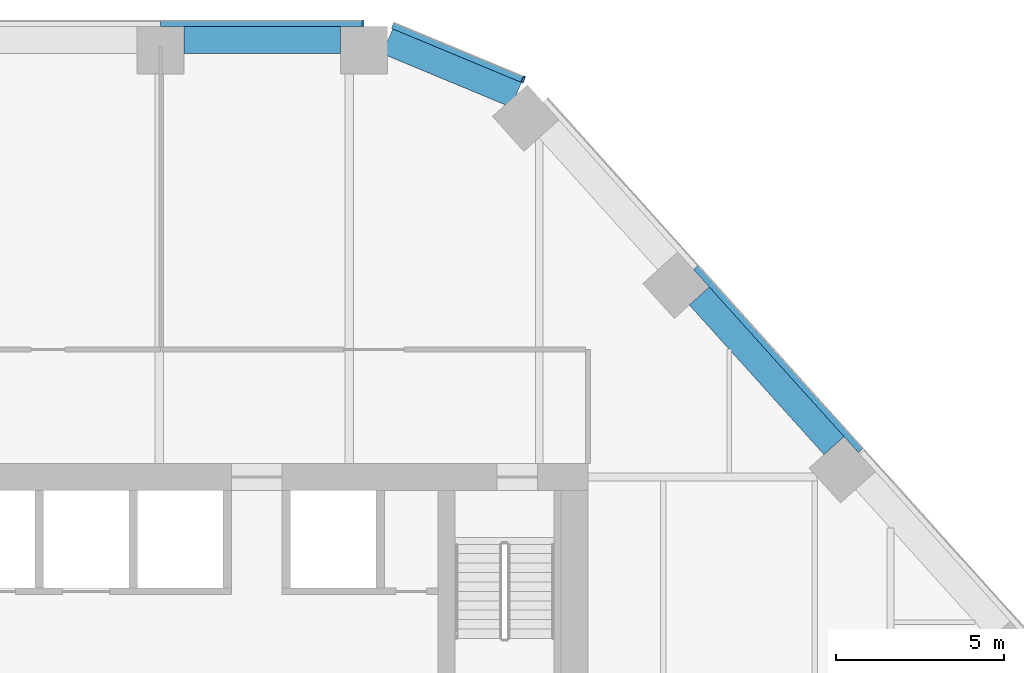
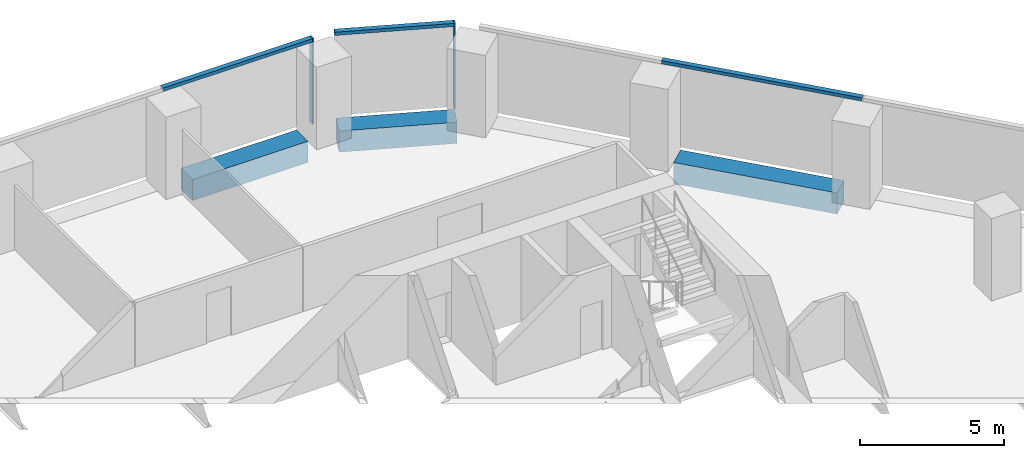
# One storey, part 9 of 16: 5 members, 3 beams, 3 elements without a shape of their own.
"""IFC4 building model written with IfcOpenShell, lengths in metres."""

import ifcopenshell
import ifcopenshell.guid

model = None  # the IFC model being written
_history = None  # IfcOwnerHistory: only IFC2X3 demands one
_inside = {}  # id of a spatial element -> (the spatial element, [elements in it])
_under = {}  # id of a project, library or spatial element -> (it, [spatial elements below it])
_declared = {}  # id of a project -> (the project, [libraries it declares])
_typed = {}  # id of a type object -> (the type object, [elements of that type])
_made_of = {}  # id of a material, layer set ... -> (it, [elements and type objects made of it])


def new_model(schema):
    """Start an empty IFC model of exactly this schema.

    Asked for "IFC4X3", IfcOpenShell would pick the latest addendum, in which some entities
    have other attributes; the version numbers below select the first issue.
    IFC2X3 requires an IfcOwnerHistory on every rooted entity: one is made here for all.
    """
    global model, _history
    if schema == "IFC4X3":
        model = ifcopenshell.file(schema_version=(4, 3, 0, 0))
    else:
        model = ifcopenshell.file(schema=schema)
    _inside.clear()
    _under.clear()
    _declared.clear()
    _typed.clear()
    _made_of.clear()
    _history = None
    if model.schema == "IFC2X3":
        org = make("IfcOrganization", Name="unknown")
        user = make(
            "IfcPersonAndOrganization",
            ThePerson=make("IfcPerson", FamilyName="unknown"),
            TheOrganization=org,
        )
        app = make(
            "IfcApplication",
            ApplicationDeveloper=org,
            Version="unknown",
            ApplicationFullName="unknown",
            ApplicationIdentifier="unknown",
        )
        _history = make(
            "IfcOwnerHistory",
            OwningUser=user,
            OwningApplication=app,
            ChangeAction="ADDED",
            CreationDate=0,
        )
    return model


def make(cls, **values):
    """One entity of the class cls with the attributes given. An attribute that is None is left unset."""
    return model.create_entity(
        cls, **{name: value for name, value in values.items() if value is not None}
    )


def rooted(cls, **values):
    """An entity with a GlobalId (a new one), such as an element, a storey or a relation."""
    return make(cls, GlobalId=ifcopenshell.guid.new(), OwnerHistory=_history, **values)


def si_unit(unit_type, name, prefix=None):
    """IfcSIUnit, for example si_unit("LENGTHUNIT", "METRE", prefix="MILLI")."""
    return make("IfcSIUnit", UnitType=unit_type, Prefix=prefix, Name=name)


def assignment(units):
    """IfcUnitAssignment: the units of a project."""
    return None if units is None else make("IfcUnitAssignment", Units=units)


def point(xyz):
    """IfcCartesianPoint."""
    return None if xyz is None else make("IfcCartesianPoint", Coordinates=xyz)


def direction(xyz):
    """IfcDirection."""
    return None if xyz is None else make("IfcDirection", DirectionRatios=xyz)


def frame(location, z_axis=None, x_axis=None):
    """IfcAxis2Placement3D, a coordinate frame: its origin and axes. An axis left out is left unset."""
    return make(
        "IfcAxis2Placement3D",
        Location=point(location),
        Axis=direction(z_axis),
        RefDirection=direction(x_axis),
    )


def frame_2d(location, x_axis=None):
    """IfcAxis2Placement2D, a coordinate frame in the plane: its origin and x axis."""
    return make(
        "IfcAxis2Placement2D", Location=point(location), RefDirection=direction(x_axis)
    )


def origin():
    """The frame at (0, 0, 0) with its axes left unset."""
    return frame((0.0, 0.0, 0.0))


def origin_2d():
    """The frame at (0, 0) in the plane with its x axis left unset."""
    return frame_2d((0.0, 0.0))


def place(relative_to, where):
    """IfcLocalPlacement: puts the frame where relative to a parent placement (None: the world)."""
    return make(
        "IfcLocalPlacement", PlacementRelTo=relative_to, RelativePlacement=where
    )


def context(
    kind, dimensions, precision=None, world=None, true_north=None, identifier=None
):
    """IfcGeometricRepresentationContext, for example the 3D "Model" context."""
    return make(
        "IfcGeometricRepresentationContext",
        ContextIdentifier=identifier,
        ContextType=kind,
        CoordinateSpaceDimension=dimensions,
        Precision=precision,
        WorldCoordinateSystem=world,
        TrueNorth=true_north,
    )


def subcontext(parent, identifier, kind, view, scale=None):
    """IfcGeometricRepresentationSubContext, for example "Body" below "Model"."""
    return make(
        "IfcGeometricRepresentationSubContext",
        ContextIdentifier=identifier,
        ContextType=kind,
        ParentContext=parent,
        TargetScale=scale,
        TargetView=view,
    )


def project(units=None, contexts=None):
    """IfcProject with its units and contexts."""
    return rooted(
        "IfcProject",
        Name="project",
        RepresentationContexts=contexts,
        UnitsInContext=assignment(units),
    )


def spatial(cls, under=None, at=None, **own):
    """A site, building, storey or space (cls), placed at a placement, below another one or the project."""
    s = rooted(cls, ObjectPlacement=at, **own)
    if under is not None:
        _under.setdefault(under.id(), (under, []))[1].append(s)
    return s


def profile(cls, at=None, kind="AREA", **sizes):
    """A parametric profile (cls). Its sizes go by their IFC names, for example OverallWidth=200.0."""
    return make(cls, ProfileType=kind, Position=at, **sizes)


def rectangle(**sizes):
    """IfcRectangleProfileDef."""
    return profile("IfcRectangleProfileDef", **sizes)


def extrude(swept, where, along, depth):
    """IfcExtrudedAreaSolid: the profile swept, set in the frame where, extruded along a direction by depth."""
    return make(
        "IfcExtrudedAreaSolid",
        SweptArea=swept,
        Position=where,
        ExtrudedDirection=direction(along),
        Depth=depth,
    )


def shape(context_of_items, identifier, shape_type, items):
    """IfcShapeRepresentation: the items that make up one representation, for example the "Body"."""
    return make(
        "IfcShapeRepresentation",
        ContextOfItems=context_of_items,
        RepresentationIdentifier=identifier,
        RepresentationType=shape_type,
        Items=items,
    )


def material(Name=None, Category=None):
    """IfcMaterial."""
    return make("IfcMaterial", Name=Name, Category=Category)


def layer(
    of_material, thickness, ventilated=None, Name=None, Category=None, Priority=None
):
    """IfcMaterialLayer: one layer of a wall or slab, of a material (None: an air gap)."""
    return make(
        "IfcMaterialLayer",
        Material=of_material,
        LayerThickness=thickness,
        IsVentilated=ventilated,
        Name=Name,
        Category=Category,
        Priority=Priority,
    )


def layer_set(layers, Name=None):
    """IfcMaterialLayerSet."""
    return make("IfcMaterialLayerSet", MaterialLayers=layers, LayerSetName=Name)


def material_profile(
    of_material, cross_section, Name=None, Category=None, Priority=None
):
    """IfcMaterialProfile: a cross section and its material."""
    return make(
        "IfcMaterialProfile",
        Name=Name,
        Material=of_material,
        Profile=cross_section,
        Priority=Priority,
        Category=Category,
    )


def profile_set(profiles, Name=None, composite=None):
    """IfcMaterialProfileSet."""
    return make(
        "IfcMaterialProfileSet",
        Name=Name,
        MaterialProfiles=profiles,
        CompositeProfile=composite,
    )


def made_of(thing, what):
    """Note that an element or type object is made of a material, layer set ...; save() writes the relation."""
    if what is not None:
        _made_of.setdefault(what.id(), (what, []))[1].append(thing)
    return thing


def type_object(cls, material=None, **own):
    """A type object (cls), such as IfcWallType, which elements share."""
    return made_of(rooted(cls, **own), material)


def element(
    cls,
    number,
    at=None,
    inside=None,
    cuts=None,
    type_object=None,
    material=None,
    context=None,
    identifier="Body",
    shape_type=None,
    held_by="IfcProductDefinitionShape",
    body=None,
    shapes=None,
    **own,
):
    """One element of the class cls, such as IfcWall. Its Tag is "e" and its number.

    at: its placement. inside: the storey or other place that contains it. cuts: it is an
    opening in that element (IfcRelVoidsElement). A single representation is given by context,
    identifier, shape_type and body (its items); several are given by shapes. held_by: the class
    of the entity that holds the representations. save() writes the other relations.
    """
    e = rooted(cls, Tag="e%d" % number, ObjectPlacement=at, **own)
    if body is not None:
        shapes = [shape(context, identifier, shape_type, body)]
    if shapes is not None:
        e.Representation = make(held_by, Representations=shapes)
    if inside is not None:
        _inside.setdefault(inside.id(), (inside, []))[1].append(e)
    if cuts is not None:
        rooted(
            "IfcRelVoidsElement", RelatingBuildingElement=cuts, RelatedOpeningElement=e
        )
    if type_object is not None:
        _typed.setdefault(type_object.id(), (type_object, []))[1].append(e)
    return made_of(e, material)


def aggregate(whole, parts):
    """IfcRelAggregates: a whole, such as a stair, and the parts it consists of."""
    return rooted("IfcRelAggregates", RelatingObject=whole, RelatedObjects=parts)


def save(model, path):
    """Write the relations noted so far, then the file.

    IfcRelAggregates (storeys below a building ...), IfcRelContainedInSpatialStructure (elements
    in a storey), IfcRelDefinesByType, IfcRelAssociatesMaterial and IfcRelDeclares: one each for
    every whole, place, type object, material and project.
    """
    for whole, parts in _under.values():
        aggregate(whole, parts)
    for where, things in _inside.values():
        rooted(
            "IfcRelContainedInSpatialStructure",
            RelatedElements=things,
            RelatingStructure=where,
        )
    for kind, things in _typed.values():
        rooted("IfcRelDefinesByType", RelatedObjects=things, RelatingType=kind)
    for what, things in _made_of.values():
        rooted("IfcRelAssociatesMaterial", RelatedObjects=things, RelatingMaterial=what)
    for by, libraries in _declared.values():
        rooted("IfcRelDeclares", RelatingContext=by, RelatedDefinitions=libraries)
    model.write(path)


model = new_model("IFC4")

# Units and contexts
model_context = context("Model", 3, precision=1e-05, world=origin(), true_north=direction((0.0, 1.0)))
body_context = subcontext(model_context, "Body", "Model", "MODEL_VIEW")
ifc_project = project(units=[si_unit("LENGTHUNIT", "METRE"), si_unit("AREAUNIT", "SQUARE_METRE"), si_unit("VOLUMEUNIT", "CUBIC_METRE"), si_unit("PLANEANGLEUNIT", "RADIAN"), si_unit("MASSUNIT", "GRAM", prefix="KILO")], contexts=[model_context])

# Site, building, storey
site_placement = place(None, origin())
site = spatial("IfcSite", under=ifc_project, at=site_placement, CompositionType="ELEMENT")
building_placement = place(site_placement, origin())
building = spatial("IfcBuilding", under=site, at=building_placement, Name="Isthmus Gate Tower", CompositionType="ELEMENT")
storey_placement = place(building_placement, frame((0.0, 0.0, 148.050048828125)))
storey = spatial("IfcBuildingStorey", under=building, at=storey_placement, Name="L36", CompositionType="ELEMENT", Elevation=148.050048828125)

# Curtain wall, member
ifc_material_1 = material(Name="Aluminium, pale champagne anodised", Category="aluminium")
ifc_layer = layer(ifc_material_1, 0.199951171875)
ifc_layer_set = layer_set([ifc_layer], Name="CW-1 UNITISED CURTAIN WALL 200 DEEP")
curtain_wall_type = type_object("IfcCurtainWallType", Name="CW-1 UNITISED CURTAIN WALL 200 DEEP", PredefinedType="NOTDEFINED", material=ifc_layer_set)
curtain_wall_1_placement = place(storey_placement, origin())
curtain_wall_1 = element("IfcCurtainWall", 1, at=curtain_wall_1_placement, inside=storey, type_object=curtain_wall_type, Name="CW-1 N L36", PredefinedType="NOTDEFINED")
ifc_material_2 = material(Name="Aluminium, pale champagne anodised", Category="aluminium")
ifc_material_profile_1 = material_profile(ifc_material_2, rectangle(XDim=0.06005859375, YDim=0.199951171875, at=origin_2d()), Name="60x200")
ifc_profile_set_1 = profile_set([ifc_material_profile_1], Name="Aluminium, pale champagne anodised")
member_type_1 = type_object("IfcMemberType", Name="CW-1 MULLION 60 X 200", PredefinedType="MULLION", material=ifc_profile_set_1)
member_1_placement = place(storey_placement, frame((8.30859375, 28.10009765625, 0.0), z_axis=(0.0, 0.0, 1.0), x_axis=(-1.0, 0.0, 0.0)))
member_1 = element("IfcMember", 2, at=member_1_placement, type_object=member_type_1, Name="CW-1 mullion", PredefinedType="MULLION", context=body_context, shape_type="SweptSolid", body=[
    extrude(rectangle(XDim=0.06005859375, YDim=0.199951171875, at=origin_2d()), origin(), (0.0, 0.0, 1.0), 3.64990234375),
])

curtain_wall_2_placement = place(storey_placement, origin())
curtain_wall_2 = element("IfcCurtainWall", 3, at=curtain_wall_2_placement, inside=storey, type_object=curtain_wall_type, Name="CW-1 NE-N L36", PredefinedType="NOTDEFINED")
member_2_placement = place(storey_placement, frame((13.080810546875, 26.427490234375, 0.0), z_axis=(0.0, 0.0, 1.0), x_axis=(-0.923353128387, 0.383951820282, 0.0)))
member_2 = element("IfcMember", 4, at=member_2_placement, type_object=member_type_1, Name="CW-1 mullion", PredefinedType="MULLION", context=body_context, shape_type="SweptSolid", body=[
    extrude(rectangle(XDim=0.06005859375, YDim=0.199951171875, at=origin_2d()), origin(), (0.0, 0.0, 1.0), 3.64990234375),
])

# Member
ifc_material_3 = material(Name="Aluminium, pale champagne anodised", Category="aluminium")
ifc_material_profile_2 = material_profile(ifc_material_3, rectangle(XDim=0.199951171875, YDim=0.139892578125, at=origin_2d()), Name="200x140")
ifc_profile_set_2 = profile_set([ifc_material_profile_2], Name="Aluminium, pale champagne anodised")
member_type_2 = type_object("IfcMemberType", Name="CW-1 TRANSOM 200 X 140", PredefinedType="USERDEFINED", material=ifc_profile_set_2)
member_3_placement = place(storey_placement, frame((8.278564453125, 28.10009765625, 3.579833984375), z_axis=(-1.0, 0.0, 0.0), x_axis=(0.0, -1.0, 0.0)))
member_3 = element("IfcMember", 5, at=member_3_placement, type_object=member_type_2, Name="CW-1 transom", ObjectType="TRANSOM", PredefinedType="USERDEFINED", context=body_context, shape_type="SweptSolid", body=[
    extrude(rectangle(XDim=0.199951171875, YDim=0.139892578125, at=origin_2d()), origin(), (0.0, 0.0, 1.0), 5.990234375),
])

aggregate(curtain_wall_1, [member_1, member_3])

# Curtain wall, member
curtain_wall_3_placement = place(storey_placement, origin())
curtain_wall_3 = element("IfcCurtainWall", 6, at=curtain_wall_3_placement, inside=storey, type_object=curtain_wall_type, Name="CW-1 NE L36", PredefinedType="NOTDEFINED")
member_4_placement = place(storey_placement, frame((23.126708984375, 15.3955078125, 3.579833984375), z_axis=(-0.669137671884, 0.743138463589, 0.0), x_axis=(-0.743138463589, -0.669137671884, 0.0)))
member_4 = element("IfcMember", 7, at=member_4_placement, type_object=member_type_2, Name="CW-1 transom", ObjectType="TRANSOM", PredefinedType="USERDEFINED", context=body_context, shape_type="SweptSolid", body=[
    extrude(rectangle(XDim=0.199951171875, YDim=0.139892578125, at=origin_2d()), origin(), (0.0, 0.0, 1.0), 7.330810546875),
])
aggregate(curtain_wall_3, [member_4])

# Member
member_5_placement = place(storey_placement, frame((13.05322265625, 26.43896484375, 3.579833984375), z_axis=(-0.923358236369, 0.383939536033, 0.0), x_axis=(-0.383939536033, -0.923358236369, 0.0)))
member_5 = element("IfcMember", 8, at=member_5_placement, type_object=member_type_2, Name="CW-1 transom", ObjectType="TRANSOM", PredefinedType="USERDEFINED", context=body_context, shape_type="SweptSolid", body=[
    extrude(rectangle(XDim=0.199951171875, YDim=0.139892578125, at=origin_2d()), origin(), (0.0, 0.0, 1.0), 4.181640625),
])

aggregate(curtain_wall_2, [member_2, member_5])

# Beams
ifc_material_4 = material(Name="Concrete f'c 60 MPa", Category="concrete")
ifc_material_profile_3 = material_profile(ifc_material_4, rectangle(XDim=0.800048828125, YDim=0.89990234375, at=origin_2d()), Name="RC 800X900")
ifc_profile_set_3 = profile_set([ifc_material_profile_3], Name="Concrete f'c 60 MPa")
beam_type = type_object("IfcBeamType", Name="RC SPANDREL 800 X 900", PredefinedType="SPANDREL", material=ifc_profile_set_3)
beam_1_placement = place(storey_placement, frame((9.03857421875, 27.56689453125, -0.449951171875), z_axis=(0.923342835736, -0.383976571805, 0.0), x_axis=(0.383976571805, 0.923342835736, 0.0)))
element("IfcBeam", 9, at=beam_1_placement, inside=storey, type_object=beam_type, Name="str-spandrel-L36-00", PredefinedType="SPANDREL", context=body_context, shape_type="SweptSolid", body=[
    extrude(rectangle(XDim=0.800048828125, YDim=0.89990234375, at=origin_2d()), origin(), (0.0, 0.0, 1.0), 4.152587890625),
])
beam_2_placement = place(storey_placement, frame((18.318359375, 19.988525390625, -0.449951171875), z_axis=(0.669133582923, -0.743142145356, 0.0), x_axis=(0.743142145356, 0.669133582923, 0.0)))
element("IfcBeam", 10, at=beam_2_placement, inside=storey, type_object=beam_type, Name="str-spandrel-L36-02", PredefinedType="SPANDREL", context=body_context, shape_type="SweptSolid", body=[
    extrude(rectangle(XDim=0.800048828125, YDim=0.89990234375, at=origin_2d()), origin(), (0.0, 0.0, 1.0), 5.99072265625),
])
beam_3_placement = place(storey_placement, frame((2.988525390625, 27.60009765625, -0.449951171875), z_axis=(1.0, 0.0, 0.0), x_axis=(0.0, 1.0, 0.0)))
element("IfcBeam", 11, at=beam_3_placement, inside=storey, type_object=beam_type, Name="str-spandrel-L36-29", PredefinedType="SPANDREL", context=body_context, shape_type="SweptSolid", body=[
    extrude(rectangle(XDim=0.800048828125, YDim=0.89990234375, at=origin_2d()), origin(), (0.0, 0.0, 1.0), 4.650146484375),
])

save(model, "model.ifc")
